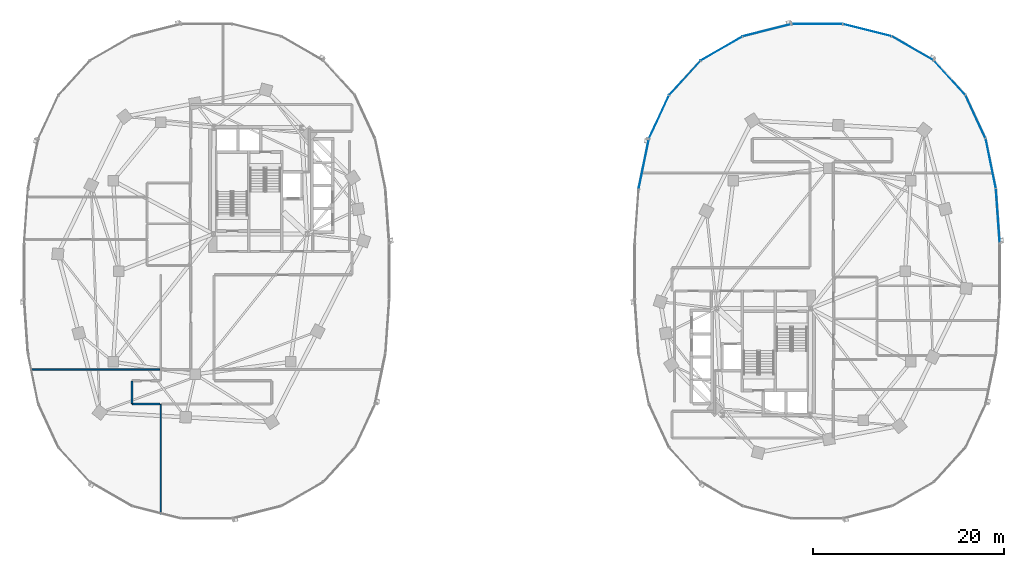
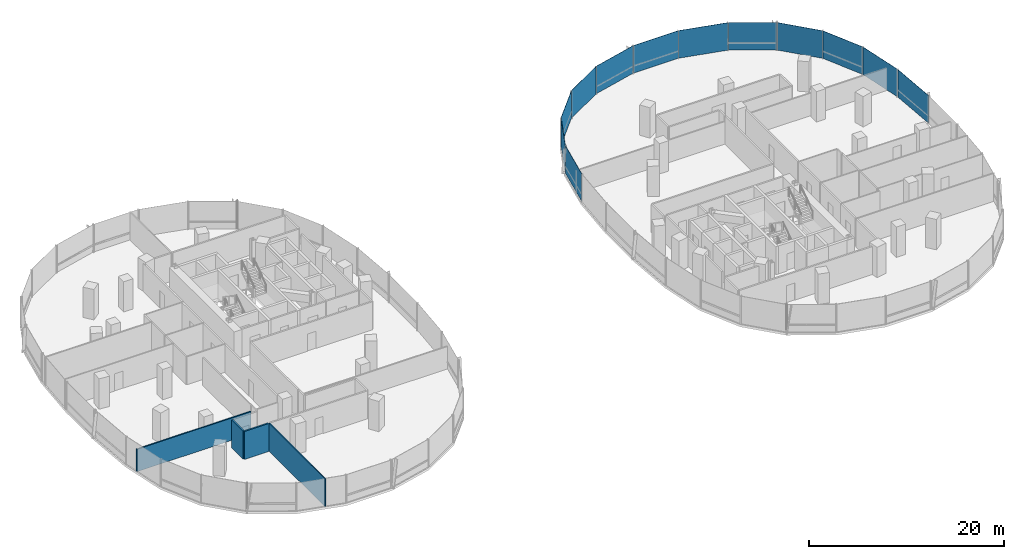
# One storey, part 10 of 21: 12 plates, 4 walls, 2 elements without a shape of their own.
"""IFC4 building model written with IfcOpenShell, lengths in metres."""

from ifc_helpers import new_model, si_unit, direction, frame, frame_2d, origin, origin_2d, place, context, subcontext, project, spatial, rectangle, extrude, material, layer, layer_set, type_object, element, aggregate, save


model = new_model("IFC4")

# Units and contexts
model_context = context("Model", 3, precision=1e-05, world=origin(), true_north=direction((0.0, 1.0)))
body_context = subcontext(model_context, "Body", "Model", "MODEL_VIEW")
ifc_project = project(units=[si_unit("LENGTHUNIT", "METRE"), si_unit("AREAUNIT", "SQUARE_METRE"), si_unit("VOLUMEUNIT", "CUBIC_METRE"), si_unit("PLANEANGLEUNIT", "RADIAN"), si_unit("MASSUNIT", "GRAM", prefix="KILO"), si_unit("THERMODYNAMICTEMPERATUREUNIT", "KELVIN"), si_unit("POWERUNIT", "WATT")], contexts=[model_context])

# Site, building, storey
site_placement = place(None, origin())
site = spatial("IfcSite", under=ifc_project, at=site_placement, CompositionType="ELEMENT")
building_placement = place(site_placement, origin())
building = spatial("IfcBuilding", under=site, at=building_placement, Name="Cundina Bronze Exchange", CompositionType="ELEMENT")
storey_placement = place(building_placement, frame((0.0, 0.0, 50.60009765625)))
storey = spatial("IfcBuildingStorey", under=building, at=storey_placement, Name="L12", CompositionType="ELEMENT", Elevation=50.60009765625)

# Curtain wall, plates
ifc_material_1 = material(Name="Anodised Bronze Aluminium 6063-T6", Category="aluminium")
curtain_wall_type = type_object("IfcCurtainWallType", Name="CWS-TRD-LOW", PredefinedType="NOTDEFINED", material=ifc_material_1)
curtain_wall_1_placement = place(storey_placement, origin())
curtain_wall_1 = element("IfcCurtainWall", 1, at=curtain_wall_1_placement, inside=storey, type_object=curtain_wall_type, Name="L12 CW-02 Curtain Wall Run CWR-L12-E1", PredefinedType="NOTDEFINED")
ifc_material_2 = material(Name="Heat-Strengthened Solar-Control Bronze Safety Glass 28mm", Category="glass")
ifc_layer_1 = layer(ifc_material_2, 0.028076171875, Name="Heat-Strengthened Solar-Control Bronze Safety Glass 28mm", Category="glass")
ifc_layer_set_1 = layer_set([ifc_layer_1], Name="Heat-Strengthened Solar-Control Bronze Safety Glass 28mm")
plate_type_1 = type_object("IfcPlateType", Name="PLT-GLZ-VIS28", PredefinedType="CURTAIN_PANEL", material=ifc_layer_set_1)
plate_1_placement = place(storey_placement, frame((50.9267578125, 5.783935546875, 0.02001953125), z_axis=(0.0, 0.0, 1.0), x_axis=(-0.070278787473, 0.997527389113, 0.0)))
plate_1 = element("IfcPlate", 2, at=plate_1_placement, type_object=plate_type_1, Name="CW-02 Glazed Panel 1", PredefinedType="CURTAIN_PANEL", context=body_context, shape_type="SweptSolid", body=[
    extrude(rectangle(XDim=5.644287109375, YDim=0.028076171875, at=origin_2d()), origin(), (0.0, 0.0, 1.0), 3.4599609375),
])
plate_2_placement = place(storey_placement, frame((50.18408203125, 11.269775390625, 0.02001953125), z_axis=(0.0, 0.0, 1.0), x_axis=(-0.201419845156, 0.979505000486, 0.0)))
plate_2 = element("IfcPlate", 3, at=plate_2_placement, type_object=plate_type_1, Name="CW-02 Glazed Panel 2", PredefinedType="CURTAIN_PANEL", context=body_context, shape_type="SweptSolid", body=[
    extrude(rectangle(XDim=5.306640625, YDim=0.028076171875, at=origin_2d()), origin(), (0.0, 0.0, 1.0), 3.4599609375),
])
plate_3_placement = place(storey_placement, frame((45.8740234375, 20.267333984375, 0.02001953125), z_axis=(0.0, 0.0, 1.0), x_axis=(-0.674276610219, 0.73847887777, 0.0)))
plate_3 = element("IfcPlate", 4, at=plate_3_placement, type_object=plate_type_1, Name="CW-02 Glazed Panel 4", PredefinedType="CURTAIN_PANEL", context=body_context, shape_type="SweptSolid", body=[
    extrude(rectangle(XDim=4.86328125, YDim=0.028076171875, at=origin_2d()), origin(), (0.0, 0.0, 1.0), 3.4599609375),
])
plate_4_placement = place(storey_placement, frame((42.019287109375, 23.34423828125, 0.02001953125), z_axis=(0.0, 0.0, 1.0), x_axis=(-0.867105478933, 0.498124571171, 0.0)))
plate_4 = element("IfcPlate", 5, at=plate_4_placement, type_object=plate_type_1, Name="CW-02 Glazed Panel 5", PredefinedType="CURTAIN_PANEL", context=body_context, shape_type="SweptSolid", body=[
    extrude(rectangle(XDim=5.021240234375, YDim=0.028076171875, at=origin_2d()), origin(), (0.0, 0.0, 1.0), 3.4599609375),
])
plate_5_placement = place(storey_placement, frame((37.255615234375, 25.256591796875, 0.02001953125), z_axis=(0.0, 0.0, 1.0), x_axis=(-0.969488149345, 0.245138182011, 0.0)))
plate_5 = element("IfcPlate", 6, at=plate_5_placement, type_object=plate_type_1, Name="CW-02 Glazed Panel 6", PredefinedType="CURTAIN_PANEL", context=body_context, shape_type="SweptSolid", body=[
    extrude(rectangle(XDim=5.2333984375, YDim=0.028076171875, at=origin_2d()), origin(), (0.0, 0.0, 1.0), 3.4599609375),
])
plate_6_placement = place(storey_placement, frame((32.0, 25.905029296875, 0.02001953125), z_axis=(0.0, 0.0, 1.0), x_axis=(-1.0, 0.0, 0.0)))
plate_6 = element("IfcPlate", 7, at=plate_6_placement, type_object=plate_type_1, Name="CW-02 Glazed Panel 7", PredefinedType="CURTAIN_PANEL", context=body_context, shape_type="SweptSolid", body=[
    extrude(rectangle(XDim=5.323974609375, YDim=0.028076171875, at=origin_2d()), origin(), (0.0, 0.0, 1.0), 3.4599609375),
])

curtain_wall_2_placement = place(storey_placement, origin())
curtain_wall_2 = element("IfcCurtainWall", 8, at=curtain_wall_2_placement, inside=storey, type_object=curtain_wall_type, Name="L12 CW-02 Curtain Wall Run CWR-L12-E2", PredefinedType="NOTDEFINED")
plate_7_placement = place(storey_placement, frame((26.744384765625, 25.256591796875, 0.02001953125), z_axis=(0.0, 0.0, 1.0), x_axis=(-0.969488149345, -0.245138182011, 0.0)))
plate_7 = element("IfcPlate", 9, at=plate_7_placement, type_object=plate_type_1, Name="CW-02 Glazed Panel 1", PredefinedType="CURTAIN_PANEL", context=body_context, shape_type="SweptSolid", body=[
    extrude(rectangle(XDim=5.2333984375, YDim=0.028076171875, at=origin_2d()), origin(), (0.0, 0.0, 1.0), 3.4599609375),
])
plate_8_placement = place(storey_placement, frame((18.1259765625, 20.267333984375, 0.02001953125), z_axis=(0.0, 0.0, 1.0), x_axis=(-0.674276610219, -0.73847887777, 0.0)))
plate_8 = element("IfcPlate", 10, at=plate_8_placement, type_object=plate_type_1, Name="CW-02 Glazed Panel 3", PredefinedType="CURTAIN_PANEL", context=body_context, shape_type="SweptSolid", body=[
    extrude(rectangle(XDim=4.86328125, YDim=0.028076171875, at=origin_2d()), origin(), (0.0, 0.0, 1.0), 3.4599609375),
])
plate_9_placement = place(storey_placement, frame((15.413818359375, 16.177734375, 0.02001953125), z_axis=(0.0, 0.0, 1.0), x_axis=(-0.42084583328, -0.907132175932, 0.0)))
plate_9 = element("IfcPlate", 11, at=plate_9_placement, type_object=plate_type_1, Name="CW-02 Glazed Panel 4", PredefinedType="CURTAIN_PANEL", context=body_context, shape_type="SweptSolid", body=[
    extrude(rectangle(XDim=4.966552734375, YDim=0.028076171875, at=origin_2d()), origin(), (0.0, 0.0, 1.0), 3.4599609375),
])
plate_10_placement = place(storey_placement, frame((13.81591796875, 11.269775390625, 0.02001953125), z_axis=(0.0, 0.0, 1.0), x_axis=(-0.201419845156, -0.979505000486, 0.0)))
plate_10 = element("IfcPlate", 12, at=plate_10_placement, type_object=plate_type_1, Name="CW-02 Glazed Panel 5", PredefinedType="CURTAIN_PANEL", context=body_context, shape_type="SweptSolid", body=[
    extrude(rectangle(XDim=5.306640625, YDim=0.028076171875, at=origin_2d()), origin(), (0.0, 0.0, 1.0), 3.4599609375),
])

# Plate
ifc_material_3 = material(Name="Dark Bronze Spandrel Glass Panel 32mm", Category="glass")
ifc_layer_2 = layer(ifc_material_3, 0.031982421875, Name="Dark Bronze Spandrel Glass Panel 32mm", Category="glass")
ifc_layer_set_2 = layer_set([ifc_layer_2], Name="Dark Bronze Spandrel Glass Panel 32mm")
plate_type_2 = type_object("IfcPlateType", Name="PLT-SPN-BRZ32", PredefinedType="CURTAIN_PANEL", material=ifc_layer_set_2)
plate_11_placement = place(storey_placement, frame((48.586181640625, 16.177734375, 0.02001953125), z_axis=(0.0, 0.0, 1.0), x_axis=(-0.42084583328, 0.907132175932, 0.0)))
plate_11 = element("IfcPlate", 13, at=plate_11_placement, type_object=plate_type_2, Name="CW-02 Glazed Panel 3", PredefinedType="CURTAIN_PANEL", context=body_context, shape_type="SweptSolid", body=[
    extrude(rectangle(XDim=4.966552734375, YDim=0.031982421875, at=origin_2d()), origin(), (0.0, 0.0, 1.0), 3.4599609375),
])

aggregate(curtain_wall_1, [plate_1, plate_2, plate_11, plate_3, plate_4, plate_5, plate_6])

plate_12_placement = place(storey_placement, frame((21.980712890625, 23.34423828125, 0.02001953125), z_axis=(0.0, 0.0, 1.0), x_axis=(-0.867105478933, -0.498124571171, 0.0)))
plate_12 = element("IfcPlate", 14, at=plate_12_placement, type_object=plate_type_2, Name="CW-02 Glazed Panel 2", PredefinedType="CURTAIN_PANEL", context=body_context, shape_type="SweptSolid", body=[
    extrude(rectangle(XDim=5.021240234375, YDim=0.031982421875, at=origin_2d()), origin(), (0.0, 0.0, 1.0), 3.4599609375),
])

aggregate(curtain_wall_2, [plate_7, plate_12, plate_8, plate_9, plate_10])

# Walls
ifc_material_4 = material(Name="Gypsum Fireboard Partition EI120")
ifc_layer_3 = layer(ifc_material_4, 0.179931640625, Name="Gypsum Fireboard Partition EI120")
ifc_layer_set_3 = layer_set([ifc_layer_3], Name="Gypsum Fireboard Partition EI120")
wall_type_1 = type_object("IfcWallType", Name="WL-COR-180", PredefinedType="PARTITIONING", material=ifc_layer_set_3)
wall_1_placement = place(storey_placement, frame((-39.778564453125, -13.919921875, 0.0), z_axis=(0.0, 0.0, 1.0), x_axis=(1.0, 0.0, 0.0)))
element("IfcWall", 15, at=wall_1_placement, inside=storey, type_object=wall_type_1, Name="L12 Interior Partition 028", PredefinedType="PARTITIONING", context=body_context, shape_type="SweptSolid", body=[
    extrude(rectangle(XDim=2.86865234375, YDim=0.179931640625, at=frame_2d((1.434326171875, 0.0))), origin(), (0.0, 0.0, 1.0), 3.5),
])
wall_2_placement = place(storey_placement, frame((-39.820068359375, -11.521484375, 0.0), z_axis=(0.0, 0.0, 1.0), x_axis=(0.0, -1.0, 0.0)))
element("IfcWall", 16, at=wall_2_placement, inside=storey, type_object=wall_type_1, Name="L12 Interior Partition 029", PredefinedType="PARTITIONING", context=body_context, shape_type="SweptSolid", body=[
    extrude(rectangle(XDim=2.35693359375, YDim=0.179931640625, at=frame_2d((1.178466796875, 0.0))), origin(), (0.0, 0.0, 1.0), 3.5),
])
ifc_material_5 = material(Name="Gypsum Acoustic Partition EI60")
ifc_layer_4 = layer(ifc_material_5, 0.125, Name="Gypsum Acoustic Partition EI60")
ifc_layer_set_4 = layer_set([ifc_layer_4], Name="Gypsum Acoustic Partition EI60")
wall_type_2 = type_object("IfcWallType", Name="WL-OFF-125", PredefinedType="PARTITIONING", material=ifc_layer_set_4)
wall_3_placement = place(storey_placement, frame((-36.820068359375, -25.44970703125, 0.0), z_axis=(0.0, 0.0, 1.0), x_axis=(0.0, 1.0, 0.0)))
element("IfcWall", 17, at=wall_3_placement, inside=storey, type_object=wall_type_2, Name="L12 Interior Partition 015", PredefinedType="PARTITIONING", context=body_context, shape_type="SweptSolid", body=[
    extrude(rectangle(XDim=11.499755859375, YDim=0.125, at=frame_2d((5.75, 0.0))), origin(), (0.0, 0.0, 1.0), 3.5),
])
ifc_layer_5 = layer(ifc_material_5, 0.14990234375, Name="Gypsum Acoustic Partition EI60")
ifc_layer_set_5 = layer_set([ifc_layer_5], Name="Gypsum Acoustic Partition EI60")
wall_type_3 = type_object("IfcWallType", Name="WL-TEN-150", PredefinedType="PARTITIONING", material=ifc_layer_set_5)
wall_4_placement = place(storey_placement, frame((-50.463623046875, -10.31005859375, 0.0), z_axis=(0.0, 0.0, 1.0), x_axis=(1.0, 0.0, 0.0)))
element("IfcWall", 18, at=wall_4_placement, inside=storey, type_object=wall_type_3, Name="L12 Interior Partition 018", PredefinedType="PARTITIONING", context=body_context, shape_type="SweptSolid", body=[
    extrude(rectangle(XDim=13.548583984375, YDim=0.14990234375, at=frame_2d((6.7744140625, 0.0))), origin(), (0.0, 0.0, 1.0), 2.804931640625),
])

save(model, "model.ifc")
